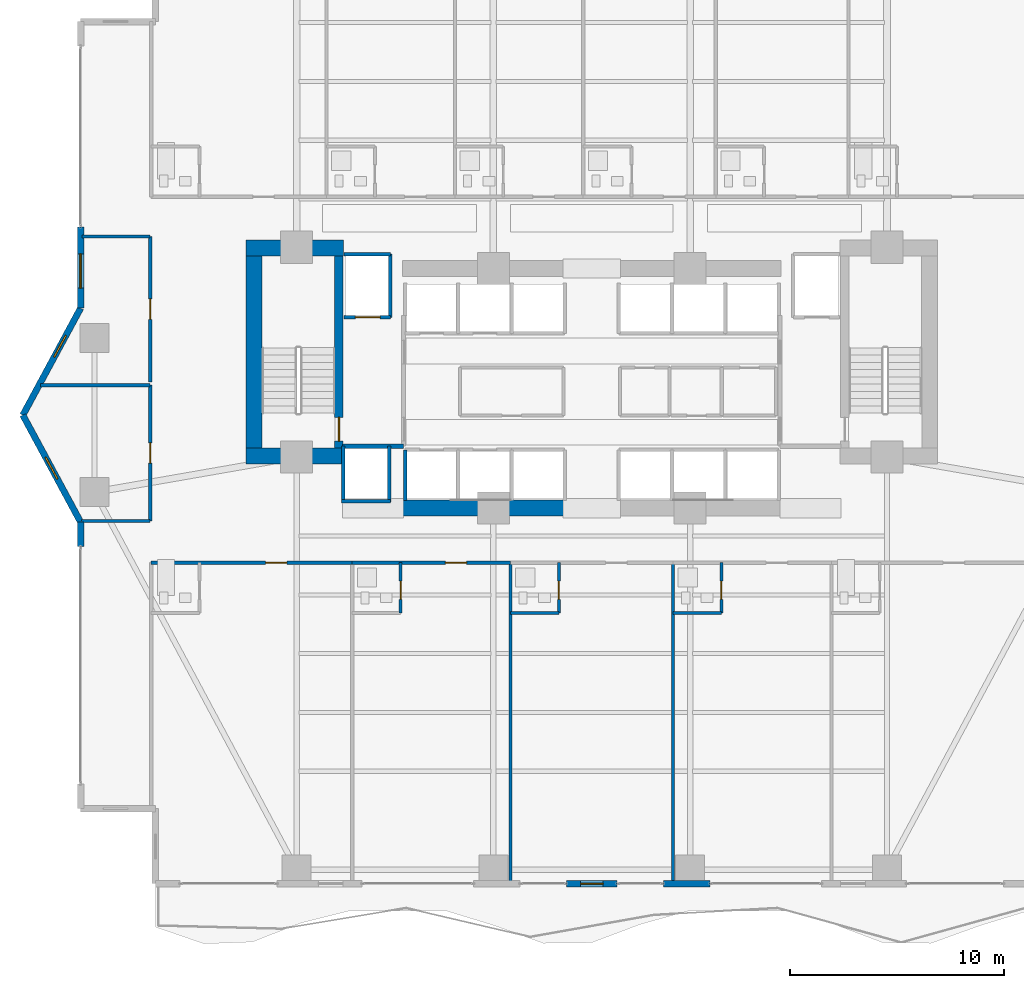
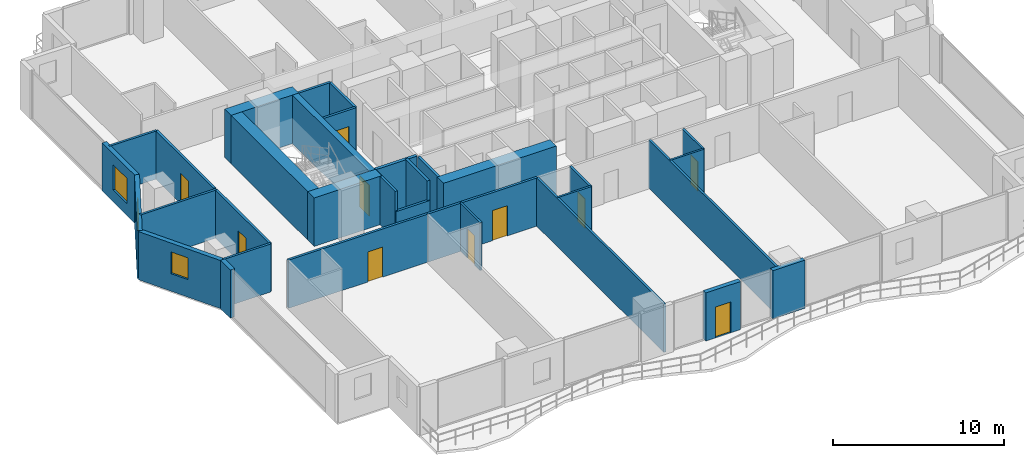
# One storey, part 20 of 28: 33 walls, 10 doors, 3 windows, 13 openings.
"""IFC4 building model written with IfcOpenShell, lengths in metres."""

from ifc_helpers import new_model, si_unit, direction, frame, frame_2d, origin, place, context, subcontext, project, spatial, rectangle, extrude, material, layer, layer_set, type_object, element, fill, save


model = new_model("IFC4")

# Units and contexts
model_context = context("Model", 3, precision=1e-05, world=origin(), true_north=direction((0.0, 1.0)))
body_context = subcontext(model_context, "Body", "Model", "MODEL_VIEW")
ifc_project = project(units=[si_unit("LENGTHUNIT", "METRE"), si_unit("AREAUNIT", "SQUARE_METRE"), si_unit("VOLUMEUNIT", "CUBIC_METRE"), si_unit("PLANEANGLEUNIT", "RADIAN"), si_unit("MASSUNIT", "GRAM", prefix="KILO")], contexts=[model_context])

# Site, building, storey
site_placement = place(None, origin())
site = spatial("IfcSite", under=ifc_project, at=site_placement, CompositionType="ELEMENT")
building_placement = place(site_placement, origin())
building = spatial("IfcBuilding", under=site, at=building_placement, Name="Zuhayl Quay Hotel", CompositionType="ELEMENT")
storey_placement = place(building_placement, frame((0.0, 0.0, 99.300048828125)))
storey = spatial("IfcBuildingStorey", under=building, at=storey_placement, Name="L24", CompositionType="ELEMENT", Elevation=99.300048828125)

# Walls
ifc_material_1 = material(Name="Concrete C60/75", Category="concrete")
ifc_layer_1 = layer(ifc_material_1, 0.75, Name="Concrete C60/75", Category="concrete")
ifc_layer_set_1 = layer_set([ifc_layer_1], Name="Concrete C60/75")
wall_type_1 = type_object("IfcWallType", Name="WL_CORE_750", PredefinedType="SHEAR", material=ifc_layer_set_1)
wall_1_placement = place(storey_placement, frame((-16.159912109375, 14.304931640625, 0.0), z_axis=(0.0, 0.0, 1.0), x_axis=(1.0, 0.0, 0.0)))
element("IfcWall", 1, at=wall_1_placement, inside=storey, type_object=wall_type_1, Name="L24 Core Shear Wall CW_NW", PredefinedType="SHEAR", context=body_context, shape_type="SweptSolid", body=[
    extrude(rectangle(XDim=4.559814453125, YDim=0.75, at=frame_2d((2.27978515625, 0.0))), origin(), (0.0, 0.0, 1.0), 3.4599609375),
])
wall_2_placement = place(storey_placement, frame((-15.784912109375, 4.969970703125, 0.0), z_axis=(0.0, 0.0, 1.0), x_axis=(0.0, 1.0, 0.0)))
element("IfcWall", 2, at=wall_2_placement, inside=storey, type_object=wall_type_1, Name="L24 Core Shear Wall CW_W", PredefinedType="SHEAR", context=body_context, shape_type="SweptSolid", body=[
    extrude(rectangle(XDim=8.9599609375, YDim=0.75, at=frame_2d((4.47998046875, 0.0))), origin(), (0.0, 0.0, 1.0), 3.4599609375),
])
wall_3_placement = place(storey_placement, frame((-16.159912109375, 4.594970703125, 0.0), z_axis=(0.0, 0.0, 1.0), x_axis=(1.0, 0.0, 0.0)))
element("IfcWall", 3, at=wall_3_placement, inside=storey, type_object=wall_type_1, Name="L24 Core Shear Wall CW_SW", PredefinedType="SHEAR", context=body_context, shape_type="SweptSolid", body=[
    extrude(rectangle(XDim=4.559814453125, YDim=0.75, at=frame_2d((2.27978515625, 0.0))), origin(), (0.0, 0.0, 1.0), 3.4599609375),
])
wall_4_placement = place(storey_placement, frame((-8.85009765625, 2.14990234375, 0.0), z_axis=(0.0, 0.0, 1.0), x_axis=(1.0, 0.0, 0.0)))
element("IfcWall", 4, at=wall_4_placement, inside=storey, type_object=wall_type_1, Name="L24 Core Shear Wall CW_SC_W", PredefinedType="SHEAR", context=body_context, shape_type="SweptSolid", body=[
    extrude(rectangle(XDim=7.60009765625, YDim=0.75, at=frame_2d((3.800048828125, 0.0))), origin(), (0.0, 0.0, 1.0), 3.429931640625),
])
ifc_material_2 = material(Name="Precast concrete C45/55", Category="concrete")
ifc_layer_2 = layer(ifc_material_2, 0.300048828125, Name="Precast concrete C45/55", Category="concrete")
ifc_layer_set_2 = layer_set([ifc_layer_2], Name="Precast concrete C45/55")
wall_type_2 = type_object("IfcWallType", Name="WL_EXT_300", PredefinedType="STANDARD", material=ifc_layer_set_2)
wall_5_placement = place(storey_placement, frame((-23.89990234375, 0.35009765625, 0.0), z_axis=(0.0, 0.0, 1.0), x_axis=(0.0, 1.0, 0.0)))
element("IfcWall", 5, at=wall_5_placement, inside=storey, type_object=wall_type_2, Name="L24 Exterior Precast Wall ENV_L24_E02_EW2", PredefinedType="STANDARD", context=body_context, shape_type="SweptSolid", body=[
    extrude(rectangle(XDim=1.14990234375, YDim=0.300048828125, at=frame_2d((0.574951171875, 0.0))), origin(), (0.0, 0.0, 1.0), 3.429931640625),
])

# Wall, opening, window
wall_6_placement = place(storey_placement, frame((-23.89990234375, 1.5, 0.0), z_axis=(0.0, 0.0, 1.0), x_axis=(-0.475175525499, 0.879891027325, 0.0)))
wall_6 = element("IfcWall", 6, at=wall_6_placement, inside=storey, type_object=wall_type_2, Name="L24 Exterior Precast Wall ENV_L24_EW03", PredefinedType="STANDARD", context=body_context, shape_type="SweptSolid", body=[
    extrude(rectangle(XDim=5.6826171875, YDim=0.300048828125, at=frame_2d((2.84130859375, 0.0))), origin(), (0.0, 0.0, 1.0), 3.429931640625),
])
opening_1_placement = place(wall_6_placement, frame((2.290283203125, 0.0, 1.25)))
opening_1 = element("IfcOpeningElement", 7, at=opening_1_placement, cuts=wall_6, Name="Opening W01N", PredefinedType="OPENING", context=body_context, shape_type="SweptSolid", body=[
    extrude(rectangle(XDim=1.14990234375, YDim=1.550048828125, at=frame_2d((0.574951171875, 0.77490234375))), frame((0.0, 0.159912109375, 0.0), z_axis=(0.0, -1.0, 0.0), x_axis=(1.0, 0.0, 0.0)), (0.0, 0.0, 1.0), 0.320068359375),
])
ifc_material_3 = material(Name="Dark Ceramic-Fritted Solar Glass", Category="glass")
window_type_1 = type_object("IfcWindowType", Name="WN_NOTCH_1350", PartitioningType="SINGLE_PANEL", PredefinedType="WINDOW", material=ifc_material_3)
window_1_placement = place(opening_1_placement, origin())
window_1 = element("IfcWindow", 8, at=window_1_placement, inside=storey, type_object=window_type_1, Name="L24 Corner Notch Window 3", OverallHeight=1.550048828125, OverallWidth=1.14990234375, PartitioningType="SINGLE_PANEL", PredefinedType="WINDOW", context=body_context, shape_type="SweptSolid", body=[
    extrude(rectangle(XDim=1.14990234375, YDim=1.550048828125, at=frame_2d((0.574951171875, 0.77490234375))), frame((0.0, 0.030029296875, 0.0), z_axis=(0.0, -1.0, 0.0), x_axis=(1.0, 0.0, 0.0)), (0.0, 0.0, 1.0), 0.06005859375),
])
fill(opening_1, window_1)

wall_7_placement = place(storey_placement, frame((-26.60009765625, 6.5, 0.0), z_axis=(0.0, 0.0, 1.0), x_axis=(0.475175525499, 0.879891027325, 0.0)))
wall_7 = element("IfcWall", 9, at=wall_7_placement, inside=storey, type_object=wall_type_2, Name="L24 Exterior Precast Wall ENV_L24_EW04", PredefinedType="STANDARD", context=body_context, shape_type="SweptSolid", body=[
    extrude(rectangle(XDim=5.6826171875, YDim=0.300048828125, at=frame_2d((2.84130859375, 0.0))), origin(), (0.0, 0.0, 1.0), 3.429931640625),
])
opening_2_placement = place(wall_7_placement, frame((3.0859375, 0.0, 1.25)))
opening_2 = element("IfcOpeningElement", 10, at=opening_2_placement, cuts=wall_7, Name="Opening W01N", PredefinedType="OPENING", context=body_context, shape_type="SweptSolid", body=[
    extrude(rectangle(XDim=1.14990234375, YDim=1.550048828125, at=frame_2d((0.574951171875, 0.77490234375))), frame((0.0, 0.159912109375, 0.0), z_axis=(0.0, -1.0, 0.0), x_axis=(1.0, 0.0, 0.0)), (0.0, 0.0, 1.0), 0.320068359375),
])
window_2_placement = place(opening_2_placement, origin())
window_2 = element("IfcWindow", 11, at=window_2_placement, inside=storey, type_object=window_type_1, Name="L24 Corner Notch Window 4", OverallHeight=1.550048828125, OverallWidth=1.14990234375, PartitioningType="SINGLE_PANEL", PredefinedType="WINDOW", context=body_context, shape_type="SweptSolid", body=[
    extrude(rectangle(XDim=1.14990234375, YDim=1.550048828125, at=frame_2d((0.574951171875, 0.77490234375))), frame((0.0, 0.030029296875, 0.0), z_axis=(0.0, -1.0, 0.0), x_axis=(1.0, 0.0, 0.0)), (0.0, 0.0, 1.0), 0.06005859375),
])
fill(opening_2, window_2)

wall_8_placement = place(storey_placement, frame((-23.89990234375, 11.5, 0.0), z_axis=(0.0, 0.0, 1.0), x_axis=(0.0, 1.0, 0.0)))
wall_8 = element("IfcWall", 12, at=wall_8_placement, inside=storey, type_object=wall_type_2, Name="L24 Exterior Precast Wall ENV_L24_E05_EW1", PredefinedType="STANDARD", context=body_context, shape_type="SweptSolid", body=[
    extrude(rectangle(XDim=3.800048828125, YDim=0.300048828125, at=frame_2d((1.89990234375, 0.0))), origin(), (0.0, 0.0, 1.0), 3.429931640625),
])
opening_3_placement = place(wall_8_placement, frame((0.93505859375, 0.0, 0.85009765625)))
opening_3 = element("IfcOpeningElement", 13, at=opening_3_placement, cuts=wall_8, Name="Opening W01", PredefinedType="OPENING", context=body_context, shape_type="SweptSolid", body=[
    extrude(rectangle(XDim=1.60009765625, YDim=1.800048828125, at=frame_2d((0.800048828125, 0.89990234375))), frame((0.0, 0.159912109375, 0.0), z_axis=(0.0, -1.0, 0.0), x_axis=(1.0, 0.0, 0.0)), (0.0, 0.0, 1.0), 0.320068359375),
])
window_type_2 = type_object("IfcWindowType", Name="WN_OPERABLE_1600", PartitioningType="DOUBLE_PANEL_VERTICAL", PredefinedType="WINDOW", material=ifc_material_3)
window_3_placement = place(opening_3_placement, origin())
window_3 = element("IfcWindow", 14, at=window_3_placement, inside=storey, type_object=window_type_2, Name="L24 Operable Facade Window 1-1", OverallHeight=1.800048828125, OverallWidth=1.60009765625, PartitioningType="SINGLE_PANEL", PredefinedType="WINDOW", context=body_context, shape_type="SweptSolid", body=[
    extrude(rectangle(XDim=1.60009765625, YDim=1.800048828125, at=frame_2d((0.800048828125, 0.89990234375))), frame((0.0, 0.030029296875, 0.0), z_axis=(0.0, -1.0, 0.0), x_axis=(1.0, 0.0, 0.0)), (0.0, 0.0, 1.0), 0.06005859375),
])
fill(opening_3, window_3)

# Wall
wall_9_placement = place(storey_placement, frame((5.52001953125, -15.39990234375, 0.0), z_axis=(0.0, 0.0, 1.0), x_axis=(-1.0, 0.0, 0.0)))
element("IfcWall", 15, at=wall_9_placement, inside=storey, type_object=wall_type_2, Name="L24 Exterior Precast Wall ENV_L24_S_EW3", PredefinedType="STANDARD", context=body_context, shape_type="SweptSolid", body=[
    extrude(rectangle(XDim=2.169921875, YDim=0.300048828125, at=frame_2d((1.0849609375, 0.0))), origin(), (0.0, 0.0, 1.0), 3.429931640625),
])

# Wall, opening, door
wall_10_placement = place(storey_placement, frame((1.175048828125, -15.39990234375, 0.0), z_axis=(0.0, 0.0, 1.0), x_axis=(-1.0, 0.0, 0.0)))
wall_10 = element("IfcWall", 16, at=wall_10_placement, inside=storey, type_object=wall_type_2, Name="L24 Exterior Precast Wall ENV_L24_S_EW4", PredefinedType="STANDARD", context=body_context, shape_type="SweptSolid", body=[
    extrude(rectangle(XDim=2.35009765625, YDim=0.300048828125, at=frame_2d((1.175048828125, 0.0))), origin(), (0.0, 0.0, 1.0), 3.429931640625),
])
opening_4_placement = place(wall_10_placement, frame((0.64990234375, 0.0, 0.0)))
opening_4 = element("IfcOpeningElement", 17, at=opening_4_placement, cuts=wall_10, Name="Opening DG1", PredefinedType="OPENING", context=body_context, shape_type="SweptSolid", body=[
    extrude(rectangle(XDim=1.050048828125, YDim=2.199951171875, at=frame_2d((0.52490234375, 1.10009765625))), frame((0.0, 0.159912109375, 0.0), z_axis=(0.0, -1.0, 0.0), x_axis=(1.0, 0.0, 0.0)), (0.0, 0.0, 1.0), 0.320068359375),
])
ifc_material_4 = material(Name="Anodised Aluminium and Dark Solar Glass", Category="aluminium")
door_type_1 = type_object("IfcDoorType", Name="DR_EXT_TERR_1050", OperationType="NOTDEFINED", PredefinedType="DOOR", material=ifc_material_4)
door_1_placement = place(opening_4_placement, origin())
door_1 = element("IfcDoor", 18, at=door_1_placement, inside=storey, type_object=door_type_1, Name="L24 South Rippling Balcony Door", OperationType="SINGLE_SWING_RIGHT", OverallHeight=2.199951171875, OverallWidth=1.050048828125, PredefinedType="DOOR", context=body_context, shape_type="SweptSolid", body=[
    extrude(rectangle(XDim=1.050048828125, YDim=2.199951171875, at=frame_2d((0.52490234375, 1.10009765625))), frame((0.0, 0.02490234375, 0.0), z_axis=(0.0, -1.0, 0.0), x_axis=(1.0, 0.0, 0.0)), (0.0, 0.0, 1.0), 0.050048828125),
])
fill(opening_4, door_1)

# Walls
ifc_material_5 = material(Name="Acoustic Gypsum Partition STC-58")
ifc_layer_3 = layer(ifc_material_5, 0.14990234375, Name="Acoustic Gypsum Partition STC-58")
ifc_layer_set_3 = layer_set([ifc_layer_3], Name="Acoustic Gypsum Partition STC-58")
wall_type_3 = type_object("IfcWallType", Name="WL_PART_150", PredefinedType="PARTITIONING", material=ifc_layer_set_3)
for number, where, z_axis, x_axis, name in (
    (19, (-3.800048828125, -15.320068359375, 0.0), (0.0, 0.0, 1.0), (0.0, 1.0, 0.0), "L24 Partition IW_L24_SU02_E"),
    (20, (3.800048828125, -15.320068359375, 0.0), (0.0, 0.0, 1.0), (0.0, 1.0, 0.0), "L24 Partition IW_L24_SU03_E"),
):
    element("IfcWall", number, at=place(storey_placement, frame(where, z_axis=z_axis, x_axis=x_axis)), inside=storey, type_object=wall_type_3, Name=name, PredefinedType="PARTITIONING", context=body_context, shape_type="SweptSolid", body=[
        extrude(rectangle(XDim=14.920166015625, YDim=0.14990234375, at=frame_2d((7.4599609375, 0.0))), origin(), (0.0, 0.0, 1.0), 3.429931640625),
    ])
wall_11_placement = place(storey_placement, frame((-23.866943359375, 1.550048828125, 0.0), z_axis=(0.0, 0.0, 1.0), x_axis=(1.0, 0.0, 0.0)))
element("IfcWall", 21, at=wall_11_placement, inside=storey, type_object=wall_type_3, Name="L24 Partition IW_L24_WPROW_1_S", PredefinedType="PARTITIONING", context=body_context, shape_type="SweptSolid", body=[
    extrude(rectangle(XDim=3.217041015625, YDim=0.14990234375, at=frame_2d((1.6083984375, 0.0))), origin(), (0.0, 0.0, 1.0), 3.429931640625),
])
wall_12_placement = place(storey_placement, frame((-25.783935546875, 7.89990234375, 0.0), z_axis=(0.0, 0.0, 1.0), x_axis=(1.0, 0.0, 0.0)))
element("IfcWall", 22, at=wall_12_placement, inside=storey, type_object=wall_type_3, Name="L24 Partition IW_L24_WPROW_1_N", PredefinedType="PARTITIONING", context=body_context, shape_type="SweptSolid", body=[
    extrude(rectangle(XDim=5.134033203125, YDim=0.14990234375, at=frame_2d((2.56689453125, 0.0))), origin(), (0.0, 0.0, 1.0), 3.429931640625),
])
wall_13_placement = place(storey_placement, frame((-23.840087890625, 14.85009765625, 0.0), z_axis=(0.0, 0.0, 1.0), x_axis=(1.0, 0.0, 0.0)))
element("IfcWall", 23, at=wall_13_placement, inside=storey, type_object=wall_type_3, Name="L24 Partition IW_L24_WPROW_2_N", PredefinedType="PARTITIONING", context=body_context, shape_type="SweptSolid", body=[
    extrude(rectangle(XDim=3.190185546875, YDim=0.14990234375, at=frame_2d((1.59521484375, 0.0))), origin(), (0.0, 0.0, 1.0), 3.429931640625),
])

# Wall, opening, door
ifc_layer_4 = layer(ifc_material_5, 0.159912109375, Name="Acoustic Gypsum Partition STC-58")
ifc_layer_set_4 = layer_set([ifc_layer_4], Name="Acoustic Gypsum Partition STC-58")
wall_type_4 = type_object("IfcWallType", Name="WL_PART_CORR_160", PredefinedType="PARTITIONING", material=ifc_layer_set_4)
wall_14_placement = place(storey_placement, frame((-20.60009765625, -0.39990234375, 0.0), z_axis=(0.0, 0.0, 1.0), x_axis=(1.0, 0.0, 0.0)))
wall_14 = element("IfcWall", 24, at=wall_14_placement, inside=storey, type_object=wall_type_4, Name="L24 Partition IW_L24_SU01_COR", PredefinedType="PARTITIONING", context=body_context, shape_type="SweptSolid", body=[
    extrude(rectangle(XDim=9.400146484375, YDim=0.159912109375, at=frame_2d((4.7001953125, 0.0))), origin(), (0.0, 0.0, 1.0), 3.429931640625),
])
opening_5_placement = place(wall_14_placement, frame((5.35009765625, 0.0, 0.0)))
opening_5 = element("IfcOpeningElement", 25, at=opening_5_placement, cuts=wall_14, Name="Opening D03L", PredefinedType="OPENING", context=body_context, shape_type="SweptSolid", body=[
    extrude(rectangle(XDim=1.0, YDim=2.14990234375, at=frame_2d((0.5, 1.074951171875))), frame((0.0, 0.08984375, 0.0), z_axis=(0.0, -1.0, 0.0), x_axis=(1.0, 0.0, 0.0)), (0.0, 0.0, 1.0), 0.179931640625),
])
ifc_material_6 = material(Name="Solid Walnut Acoustic Fire Door")
door_type_2 = type_object("IfcDoorType", Name="DR_SUITE_1000", OperationType="NOTDEFINED", PredefinedType="DOOR", material=ifc_material_6)
door_2_placement = place(opening_5_placement, origin())
door_2 = element("IfcDoor", 26, at=door_2_placement, inside=storey, type_object=door_type_2, Name="L24 City-View Junior Suite L24-01 Entrance Door", OperationType="SINGLE_SWING_LEFT", OverallHeight=2.14990234375, OverallWidth=1.0, PredefinedType="DOOR", context=body_context, shape_type="SweptSolid", body=[
    extrude(rectangle(XDim=1.0, YDim=2.14990234375, at=frame_2d((0.5, 1.074951171875))), frame((0.0, 0.02490234375, 0.0), z_axis=(0.0, -1.0, 0.0), x_axis=(1.0, 0.0, 0.0)), (0.0, 0.0, 1.0), 0.050048828125),
])
fill(opening_5, door_2)

wall_15_placement = place(storey_placement, frame((-11.199951171875, -0.39990234375, 0.0), z_axis=(0.0, 0.0, 1.0), x_axis=(1.0, 0.0, 0.0)))
wall_15 = element("IfcWall", 27, at=wall_15_placement, inside=storey, type_object=wall_type_4, Name="L24 Partition IW_L24_SU02_COR", PredefinedType="PARTITIONING", context=body_context, shape_type="SweptSolid", body=[
    extrude(rectangle(XDim=7.39990234375, YDim=0.159912109375, at=frame_2d((3.699951171875, 0.0))), origin(), (0.0, 0.0, 1.0), 3.429931640625),
])
opening_6_placement = place(wall_15_placement, frame((4.35009765625, 0.0, 0.0)))
opening_6 = element("IfcOpeningElement", 28, at=opening_6_placement, cuts=wall_15, Name="Opening D03L", PredefinedType="OPENING", context=body_context, shape_type="SweptSolid", body=[
    extrude(rectangle(XDim=1.0, YDim=2.14990234375, at=frame_2d((0.5, 1.074951171875))), frame((0.0, 0.08984375, 0.0), z_axis=(0.0, -1.0, 0.0), x_axis=(1.0, 0.0, 0.0)), (0.0, 0.0, 1.0), 0.179931640625),
])
door_3_placement = place(opening_6_placement, origin())
door_3 = element("IfcDoor", 29, at=door_3_placement, inside=storey, type_object=door_type_2, Name="L24 City-View Junior Suite L24-02 Entrance Door", OperationType="SINGLE_SWING_LEFT", OverallHeight=2.14990234375, OverallWidth=1.0, PredefinedType="DOOR", context=body_context, shape_type="SweptSolid", body=[
    extrude(rectangle(XDim=1.0, YDim=2.14990234375, at=frame_2d((0.5, 1.074951171875))), frame((0.0, 0.02490234375, 0.0), z_axis=(0.0, -1.0, 0.0), x_axis=(1.0, 0.0, 0.0)), (0.0, 0.0, 1.0), 0.050048828125),
])
fill(opening_6, door_3)

wall_16_placement = place(storey_placement, frame((-20.64990234375, 1.550048828125, 0.0), z_axis=(0.0, 0.0, 1.0), x_axis=(0.0, 1.0, 0.0)))
wall_16 = element("IfcWall", 30, at=wall_16_placement, inside=storey, type_object=wall_type_4, Name="L24 Partition IW_L24_WPROW_1_E", PredefinedType="PARTITIONING", context=body_context, shape_type="SweptSolid", body=[
    extrude(rectangle(XDim=6.349853515625, YDim=0.159912109375, at=frame_2d((3.1748046875, 0.0))), origin(), (0.0, 0.0, 1.0), 3.429931640625),
])
opening_7_placement = place(wall_16_placement, frame((2.699951171875, 0.0, 0.0)))
opening_7 = element("IfcOpeningElement", 31, at=opening_7_placement, cuts=wall_16, Name="Opening D03", PredefinedType="OPENING", context=body_context, shape_type="SweptSolid", body=[
    extrude(rectangle(XDim=0.949951171875, YDim=2.14990234375, at=frame_2d((0.47509765625, 1.074951171875))), frame((0.0, 0.08984375, 0.0), z_axis=(0.0, -1.0, 0.0), x_axis=(1.0, 0.0, 0.0)), (0.0, 0.0, 1.0), 0.179931640625),
])
door_type_3 = type_object("IfcDoorType", Name="DR_SUITE_950", OperationType="NOTDEFINED", PredefinedType="DOOR", material=ifc_material_6)
door_4_placement = place(opening_7_placement, origin())
door_4 = element("IfcDoor", 32, at=door_4_placement, inside=storey, type_object=door_type_3, Name="L24 West Prow Office L24 Door", OperationType="SINGLE_SWING_RIGHT", OverallHeight=2.14990234375, OverallWidth=0.949951171875, PredefinedType="DOOR", context=body_context, shape_type="SweptSolid", body=[
    extrude(rectangle(XDim=0.949951171875, YDim=2.14990234375, at=frame_2d((0.47509765625, 1.074951171875))), frame((0.0, 0.02490234375, 0.0), z_axis=(0.0, -1.0, 0.0), x_axis=(1.0, 0.0, 0.0)), (0.0, 0.0, 1.0), 0.050048828125),
])
fill(opening_7, door_4)

wall_17_placement = place(storey_placement, frame((-20.64990234375, 8.06005859375, 0.0), z_axis=(0.0, 0.0, 1.0), x_axis=(0.0, 1.0, 0.0)))
wall_17 = element("IfcWall", 33, at=wall_17_placement, inside=storey, type_object=wall_type_4, Name="L24 Partition IW_L24_WPROW_2_E", PredefinedType="PARTITIONING", context=body_context, shape_type="SweptSolid", body=[
    extrude(rectangle(XDim=6.7900390625, YDim=0.159912109375, at=frame_2d((3.39501953125, 0.0))), origin(), (0.0, 0.0, 1.0), 3.429931640625),
])
opening_8_placement = place(wall_17_placement, frame((2.919921875, 0.0, 0.0)))
opening_8 = element("IfcOpeningElement", 34, at=opening_8_placement, cuts=wall_17, Name="Opening D03", PredefinedType="OPENING", context=body_context, shape_type="SweptSolid", body=[
    extrude(rectangle(XDim=0.949951171875, YDim=2.14990234375, at=frame_2d((0.47509765625, 1.074951171875))), frame((0.0, 0.08984375, 0.0), z_axis=(0.0, -1.0, 0.0), x_axis=(1.0, 0.0, 0.0)), (0.0, 0.0, 1.0), 0.179931640625),
])
door_5_placement = place(opening_8_placement, origin())
door_5 = element("IfcDoor", 35, at=door_5_placement, inside=storey, type_object=door_type_3, Name="L24 Sunset Lounge L24 Door", OperationType="SINGLE_SWING_LEFT", OverallHeight=2.14990234375, OverallWidth=0.949951171875, PredefinedType="DOOR", context=body_context, shape_type="SweptSolid", body=[
    extrude(rectangle(XDim=0.949951171875, YDim=2.14990234375, at=frame_2d((0.47509765625, 1.074951171875))), frame((0.0, 0.02490234375, 0.0), z_axis=(0.0, -1.0, 0.0), x_axis=(1.0, 0.0, 0.0)), (0.0, 0.0, 1.0), 0.050048828125),
])
fill(opening_8, door_5)

ifc_material_7 = material(Name="Moisture-Resistant Sanitarychase Gypsum")
ifc_layer_5 = layer(ifc_material_7, 0.135009765625, Name="Moisture-Resistant Sanitarychase Gypsum")
ifc_layer_set_5 = layer_set([ifc_layer_5], Name="Moisture-Resistant Sanitarychase Gypsum")
wall_type_5 = type_object("IfcWallType", Name="WL_PART_PLUMB_150", PredefinedType="PLUMBINGWALL", material=ifc_layer_set_5)
wall_18_placement = place(storey_placement, frame((-8.93994140625, -2.760009765625, 0.0), z_axis=(0.0, 0.0, 1.0), x_axis=(0.0, 1.0, 0.0)))
wall_18 = element("IfcWall", 36, at=wall_18_placement, inside=storey, type_object=wall_type_5, Name="L24 Partition IW_L24_SU02_BE", PredefinedType="PLUMBINGWALL", context=body_context, shape_type="SweptSolid", body=[
    extrude(rectangle(XDim=2.360107421875, YDim=0.135009765625, at=frame_2d((1.18017578125, 0.0))), origin(), (0.0, 0.0, 1.0), 3.429931640625),
])
opening_9_placement = place(wall_18_placement, frame((0.64990234375, 0.0, 0.0)))
opening_9 = element("IfcOpeningElement", 37, at=opening_9_placement, cuts=wall_18, Name="Opening D04", PredefinedType="OPENING", context=body_context, shape_type="SweptSolid", body=[
    extrude(rectangle(XDim=0.85009765625, YDim=2.10009765625, at=frame_2d((0.425048828125, 1.050048828125))), frame((0.0, 0.077392578125, 0.0), z_axis=(0.0, -1.0, 0.0), x_axis=(1.0, 0.0, 0.0)), (0.0, 0.0, 1.0), 0.155029296875),
])
ifc_material_8 = material(Name="Moisture-Resistant Walnut Veneer")
door_type_4 = type_object("IfcDoorType", Name="DR_BATH_850", OperationType="NOTDEFINED", PredefinedType="DOOR", material=ifc_material_8)
door_6_placement = place(opening_9_placement, origin())
door_6 = element("IfcDoor", 38, at=door_6_placement, inside=storey, type_object=door_type_4, Name="L24 City-View Junior Suite L24-02 En-Suite Door", OperationType="SINGLE_SWING_RIGHT", OverallHeight=2.10009765625, OverallWidth=0.85009765625, PredefinedType="DOOR", context=body_context, shape_type="SweptSolid", body=[
    extrude(rectangle(XDim=0.85009765625, YDim=2.10009765625, at=frame_2d((0.425048828125, 1.050048828125))), frame((0.0, 0.02490234375, 0.0), z_axis=(0.0, -1.0, 0.0), x_axis=(1.0, 0.0, 0.0)), (0.0, 0.0, 1.0), 0.050048828125),
])
fill(opening_9, door_6)

wall_19_placement = place(storey_placement, frame((-1.5400390625, -2.760009765625, 0.0), z_axis=(0.0, 0.0, 1.0), x_axis=(0.0, 1.0, 0.0)))
wall_19 = element("IfcWall", 39, at=wall_19_placement, inside=storey, type_object=wall_type_5, Name="L24 Partition IW_L24_SU03_BE", PredefinedType="PLUMBINGWALL", context=body_context, shape_type="SweptSolid", body=[
    extrude(rectangle(XDim=2.360107421875, YDim=0.135009765625, at=frame_2d((1.18017578125, 0.0))), origin(), (0.0, 0.0, 1.0), 3.429931640625),
])
opening_10_placement = place(wall_19_placement, frame((0.64990234375, 0.0, 0.0)))
opening_10 = element("IfcOpeningElement", 40, at=opening_10_placement, cuts=wall_19, Name="Opening D04", PredefinedType="OPENING", context=body_context, shape_type="SweptSolid", body=[
    extrude(rectangle(XDim=0.85009765625, YDim=2.10009765625, at=frame_2d((0.425048828125, 1.050048828125))), frame((0.0, 0.077392578125, 0.0), z_axis=(0.0, -1.0, 0.0), x_axis=(1.0, 0.0, 0.0)), (0.0, 0.0, 1.0), 0.155029296875),
])
door_7_placement = place(opening_10_placement, origin())
door_7 = element("IfcDoor", 41, at=door_7_placement, inside=storey, type_object=door_type_4, Name="L24 City-View Junior Suite L24-03 En-Suite Door", OperationType="SINGLE_SWING_RIGHT", OverallHeight=2.10009765625, OverallWidth=0.85009765625, PredefinedType="DOOR", context=body_context, shape_type="SweptSolid", body=[
    extrude(rectangle(XDim=0.85009765625, YDim=2.10009765625, at=frame_2d((0.425048828125, 1.050048828125))), frame((0.0, 0.02490234375, 0.0), z_axis=(0.0, -1.0, 0.0), x_axis=(1.0, 0.0, 0.0)), (0.0, 0.0, 1.0), 0.050048828125),
])
fill(opening_10, door_7)

wall_20_placement = place(storey_placement, frame((6.06005859375, -2.760009765625, 0.0), z_axis=(0.0, 0.0, 1.0), x_axis=(0.0, 1.0, 0.0)))
wall_20 = element("IfcWall", 42, at=wall_20_placement, inside=storey, type_object=wall_type_5, Name="L24 Partition IW_L24_SU04_BE", PredefinedType="PLUMBINGWALL", context=body_context, shape_type="SweptSolid", body=[
    extrude(rectangle(XDim=2.360107421875, YDim=0.135009765625, at=frame_2d((1.18017578125, 0.0))), origin(), (0.0, 0.0, 1.0), 3.429931640625),
])
opening_11_placement = place(wall_20_placement, frame((0.64990234375, 0.0, 0.0)))
opening_11 = element("IfcOpeningElement", 43, at=opening_11_placement, cuts=wall_20, Name="Opening D04", PredefinedType="OPENING", context=body_context, shape_type="SweptSolid", body=[
    extrude(rectangle(XDim=0.85009765625, YDim=2.10009765625, at=frame_2d((0.425048828125, 1.050048828125))), frame((0.0, 0.077392578125, 0.0), z_axis=(0.0, -1.0, 0.0), x_axis=(1.0, 0.0, 0.0)), (0.0, 0.0, 1.0), 0.155029296875),
])
door_8_placement = place(opening_11_placement, origin())
door_8 = element("IfcDoor", 44, at=door_8_placement, inside=storey, type_object=door_type_4, Name="L24 City-View Junior Suite L24-04 En-Suite Door", OperationType="SINGLE_SWING_RIGHT", OverallHeight=2.10009765625, OverallWidth=0.85009765625, PredefinedType="DOOR", context=body_context, shape_type="SweptSolid", body=[
    extrude(rectangle(XDim=0.85009765625, YDim=2.10009765625, at=frame_2d((0.425048828125, 1.050048828125))), frame((0.0, 0.02490234375, 0.0), z_axis=(0.0, -1.0, 0.0), x_axis=(1.0, 0.0, 0.0)), (0.0, 0.0, 1.0), 0.050048828125),
])
fill(opening_11, door_8)

# Walls
for number, where, z_axis, x_axis, name in (
    (45, (-3.800048828125, -2.760009765625, 0.0), (0.0, 0.0, 1.0), (1.0, 0.0, 0.0), "L24 Partition IW_L24_SU03_BS"),
    (46, (3.800048828125, -2.760009765625, 0.0), (0.0, 0.0, 1.0), (1.0, 0.0, 0.0), "L24 Partition IW_L24_SU04_BS"),
):
    element("IfcWall", number, at=place(storey_placement, frame(where, z_axis=z_axis, x_axis=x_axis)), inside=storey, type_object=wall_type_5, Name=name, PredefinedType="PLUMBINGWALL", context=body_context, shape_type="SweptSolid", body=[
        extrude(rectangle(XDim=2.260009765625, YDim=0.135009765625, at=frame_2d((1.1298828125, 0.0))), origin(), (0.0, 0.0, 1.0), 3.429931640625),
    ])

# Wall, opening, door
ifc_material_9 = material(Name="Gypsum Fireboard Assembly EI-90")
ifc_layer_6 = layer(ifc_material_9, 0.1650390625, Name="Gypsum Fireboard Assembly EI-90")
ifc_layer_set_6 = layer_set([ifc_layer_6], Name="Gypsum Fireboard Assembly EI-90")
wall_type_6 = type_object("IfcWallType", Name="WL_PART_SHAFT_160", PredefinedType="PARTITIONING", material=ifc_layer_set_6)
wall_21_placement = place(storey_placement, frame((-11.580078125, 11.070068359375, 0.0), z_axis=(0.0, 0.0, 1.0), x_axis=(1.0, 0.0, 0.0)))
wall_21 = element("IfcWall", 47, at=wall_21_placement, inside=storey, type_object=wall_type_6, Name="L24 Partition IW_L24_SH_FL1_F", PredefinedType="PARTITIONING", context=body_context, shape_type="SweptSolid", body=[
    extrude(rectangle(XDim=2.16015625, YDim=0.1650390625, at=frame_2d((1.080078125, 0.0))), origin(), (0.0, 0.0, 1.0), 3.429931640625),
])
opening_12_placement = place(wall_21_placement, frame((0.530029296875, 0.0, 0.0)))
opening_12 = element("IfcOpeningElement", 48, at=opening_12_placement, cuts=wall_21, Name="Opening LD2", PredefinedType="OPENING", context=body_context, shape_type="SweptSolid", body=[
    extrude(rectangle(XDim=1.14990234375, YDim=2.25, at=frame_2d((0.574951171875, 1.125))), frame((0.0, 0.092529296875, 0.0), z_axis=(0.0, -1.0, 0.0), x_axis=(1.0, 0.0, 0.0)), (0.0, 0.0, 1.0), 0.18505859375),
])
ifc_material_10 = material(Name="Brushed Stainless Steel", Category="steel")
door_type_5 = type_object("IfcDoorType", Name="DR_LIFT_FF_1100", OperationType="SLIDING_TO_LEFT", PredefinedType="DOOR", material=ifc_material_10)
door_9_placement = place(opening_12_placement, origin())
door_9 = element("IfcDoor", 49, at=door_9_placement, inside=storey, type_object=door_type_5, Name="L24 Lift FL1 Sliding Landing Door", OperationType="SLIDING_TO_LEFT", OverallHeight=2.25, OverallWidth=1.14990234375, PredefinedType="DOOR", context=body_context, shape_type="SweptSolid", body=[
    extrude(rectangle(XDim=1.14990234375, YDim=2.25, at=frame_2d((0.574951171875, 1.125))), frame((0.0, 0.02490234375, 0.0), z_axis=(0.0, -1.0, 0.0), x_axis=(1.0, 0.0, 0.0)), (0.0, 0.0, 1.0), 0.050048828125),
])
fill(opening_12, door_9)

# Walls
wall_22_placement = place(storey_placement, frame((-9.419921875, 11.070068359375, 0.0), z_axis=(0.0, 0.0, 1.0), x_axis=(0.0, 1.0, 0.0)))
element("IfcWall", 50, at=wall_22_placement, inside=storey, type_object=wall_type_6, Name="L24 Partition IW_L24_SH_FL1_E", PredefinedType="PARTITIONING", context=body_context, shape_type="SweptSolid", body=[
    extrude(rectangle(XDim=2.9599609375, YDim=0.1650390625, at=frame_2d((1.47998046875, 0.0))), origin(), (0.0, 0.0, 1.0), 3.429931640625),
])
wall_23_placement = place(storey_placement, frame((-11.580078125, 14.030029296875, 0.0), z_axis=(0.0, 0.0, 1.0), x_axis=(1.0, 0.0, 0.0)))
element("IfcWall", 51, at=wall_23_placement, inside=storey, type_object=wall_type_6, Name="L24 Partition IW_L24_SH_FL1_B", PredefinedType="PARTITIONING", context=body_context, shape_type="SweptSolid", body=[
    extrude(rectangle(XDim=2.16015625, YDim=0.1650390625, at=frame_2d((1.080078125, 0.0))), origin(), (0.0, 0.0, 1.0), 3.429931640625),
])
wall_24_placement = place(storey_placement, frame((-8.72998046875, 2.52001953125, 0.0), z_axis=(0.0, 0.0, 1.0), x_axis=(0.0, 1.0, 0.0)))
element("IfcWall", 52, at=wall_24_placement, inside=storey, type_object=wall_type_6, Name="L24 Partition IW_L24_SH_LP1_W", PredefinedType="PARTITIONING", context=body_context, shape_type="SweptSolid", body=[
    extrude(rectangle(XDim=2.35986328125, YDim=0.1650390625, at=frame_2d((1.179931640625, 0.0))), origin(), (0.0, 0.0, 1.0), 3.429931640625),
])
wall_25_placement = place(storey_placement, frame((-11.6298828125, 2.469970703125, 0.0), z_axis=(0.0, 0.0, 1.0), x_axis=(0.0, 1.0, 0.0)))
element("IfcWall", 53, at=wall_25_placement, inside=storey, type_object=wall_type_6, Name="L24 Partition IW_L24_RISER_W", PredefinedType="PARTITIONING", context=body_context, shape_type="SweptSolid", body=[
    extrude(rectangle(XDim=2.580078125, YDim=0.1650390625, at=frame_2d((1.2900390625, 0.0))), origin(), (0.0, 0.0, 1.0), 3.429931640625),
])
wall_26_placement = place(storey_placement, frame((-11.7099609375, 2.469970703125, 0.0), z_axis=(0.0, 0.0, 1.0), x_axis=(1.0, 0.0, 0.0)))
element("IfcWall", 54, at=wall_26_placement, inside=storey, type_object=wall_type_6, Name="L24 Partition IW_L24_RISER_S", PredefinedType="PARTITIONING", context=body_context, shape_type="SweptSolid", body=[
    extrude(rectangle(XDim=2.31005859375, YDim=0.1650390625, at=frame_2d((1.155029296875, 0.0))), origin(), (0.0, 0.0, 1.0), 2.030029296875),
])
ifc_layer_7 = layer(ifc_material_9, 0.179931640625, Name="Gypsum Fireboard Assembly EI-90")
ifc_layer_set_7 = layer_set([ifc_layer_7], Name="Gypsum Fireboard Assembly EI-90")
wall_type_7 = type_object("IfcWallType", Name="WL_PART_SHAFT_180", PredefinedType="PARTITIONING", material=ifc_layer_set_7)
wall_27_placement = place(storey_placement, frame((-9.469970703125, 2.449951171875, 0.0), z_axis=(0.0, 0.0, 1.0), x_axis=(0.0, 1.0, 0.0)))
element("IfcWall", 55, at=wall_27_placement, inside=storey, type_object=wall_type_7, Name="L24 Partition IW_L24_RISER_E", PredefinedType="PARTITIONING", context=body_context, shape_type="SweptSolid", body=[
    extrude(rectangle(XDim=2.60009765625, YDim=0.179931640625, at=frame_2d((1.300048828125, 0.0))), origin(), (0.0, 0.0, 1.0), 3.429931640625),
])
ifc_material_11 = material(Name="Gypsum Fireboard Assembly EI-120")
ifc_layer_8 = layer(ifc_material_11, 0.199951171875, Name="Gypsum Fireboard Assembly EI-120")
ifc_layer_set_8 = layer_set([ifc_layer_8], Name="Gypsum Fireboard Assembly EI-120")
wall_type_8 = type_object("IfcWallType", Name="WL_PART_SHAFT_200", PredefinedType="PARTITIONING", material=ifc_layer_set_8)
wall_28_placement = place(storey_placement, frame((-11.64990234375, 5.050048828125, 0.0), z_axis=(0.0, 0.0, 1.0), x_axis=(1.0, 0.0, 0.0)))
element("IfcWall", 56, at=wall_28_placement, inside=storey, type_object=wall_type_8, Name="L24 Partition IW_L24_FSAE_W_S", PredefinedType="PARTITIONING", context=body_context, shape_type="SweptSolid", body=[
    extrude(rectangle(XDim=2.849853515625, YDim=0.199951171875, at=frame_2d((1.4248046875, 0.0))), origin(), (0.0, 0.0, 1.0), 3.429931640625),
])

# Wall, opening, door
ifc_layer_9 = layer(ifc_material_1, 0.39990234375, Name="Concrete C60/75", Category="concrete")
ifc_layer_set_9 = layer_set([ifc_layer_9], Name="Concrete C60/75")
wall_type_9 = type_object("IfcWallType", Name="WL_STAIR_400", PredefinedType="SHEAR", material=ifc_layer_set_9)
wall_29_placement = place(storey_placement, frame((-11.820068359375, 4.969970703125, 0.0), z_axis=(0.0, 0.0, 1.0), x_axis=(0.0, 1.0, 0.0)))
wall_29 = element("IfcWall", 57, at=wall_29_placement, inside=storey, type_object=wall_type_9, Name="L24 Core Shear Wall SW_ST1", PredefinedType="SHEAR", context=body_context, shape_type="SweptSolid", body=[
    extrude(rectangle(XDim=8.9599609375, YDim=0.39990234375, at=frame_2d((4.47998046875, 0.0))), origin(), (0.0, 0.0, 1.0), 3.4599609375),
])
opening_13_placement = place(wall_29_placement, frame((0.31005859375, 0.0, 0.0)))
opening_13 = element("IfcOpeningElement", 58, at=opening_13_placement, cuts=wall_29, Name="Opening D01", PredefinedType="OPENING", context=body_context, shape_type="SweptSolid", body=[
    extrude(rectangle(XDim=1.1201171875, YDim=2.219970703125, at=frame_2d((0.56005859375, 1.10986328125))), frame((0.0, 0.2099609375, 0.0), z_axis=(0.0, -1.0, 0.0), x_axis=(1.0, 0.0, 0.0)), (0.0, 0.0, 1.0), 0.419921875),
])
ifc_material_12 = material(Name="Steel ASTM A992 Grade 50", Category="steel")
door_type_6 = type_object("IfcDoorType", Name="DR_STAIR_90_1100", OperationType="NOTDEFINED", PredefinedType="DOOR", material=ifc_material_12)
door_10_placement = place(opening_13_placement, origin())
door_10 = element("IfcDoor", 59, at=door_10_placement, inside=storey, type_object=door_type_6, Name="L24 Smokeproof Exit Stair ST1 Door", OperationType="SINGLE_SWING_LEFT", OverallHeight=2.219970703125, OverallWidth=1.1201171875, PredefinedType="DOOR", context=body_context, shape_type="SweptSolid", body=[
    extrude(rectangle(XDim=1.1201171875, YDim=2.219970703125, at=frame_2d((0.56005859375, 1.10986328125))), frame((0.0, 0.02490234375, 0.0), z_axis=(0.0, -1.0, 0.0), x_axis=(1.0, 0.0, 0.0)), (0.0, 0.0, 1.0), 0.050048828125),
])
fill(opening_13, door_10)

save(model, "model.ifc")
